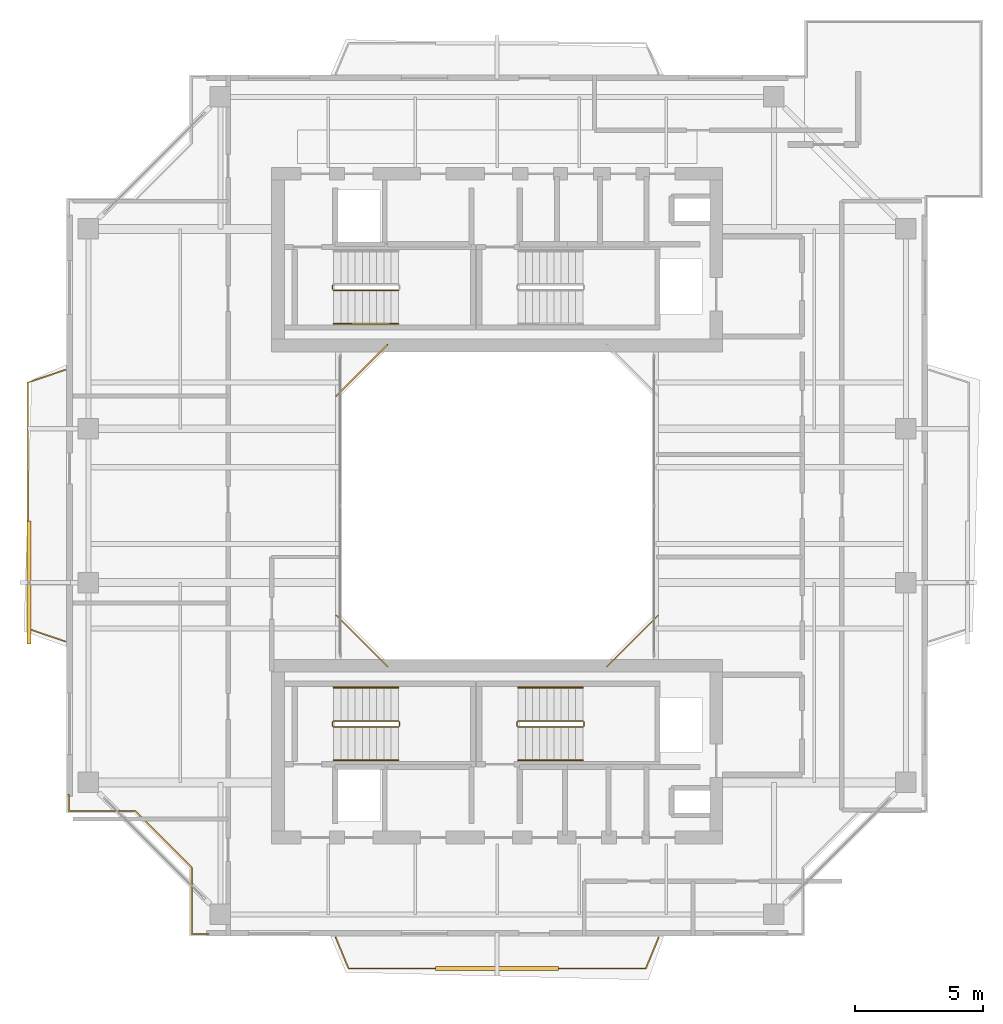
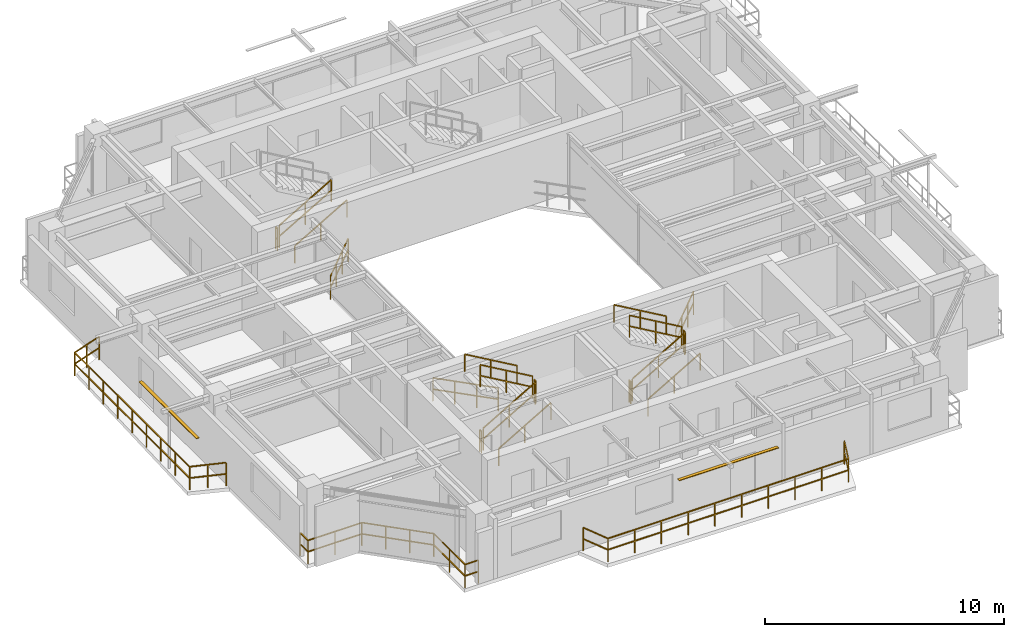
# One storey, part 14 of 16: 21 railings, 2 shading devices.
"""IFC4 building model written with IfcOpenShell, lengths in metres."""

from ifc_helpers import new_model, si_unit, direction, frame, origin, origin_2d, place, context, subcontext, project, spatial, rectangle, extrude, source, transform, mapped, material, material_profile, profile_set, type_object, element, save


model = new_model("IFC4")

# Units and contexts
model_context = context("Model", 3, precision=1e-05, world=origin(), true_north=direction((0.0, 1.0)))
body_context = subcontext(model_context, "Body", "Model", "MODEL_VIEW")
ifc_project = project(units=[si_unit("LENGTHUNIT", "METRE"), si_unit("AREAUNIT", "SQUARE_METRE"), si_unit("VOLUMEUNIT", "CUBIC_METRE"), si_unit("PLANEANGLEUNIT", "RADIAN"), si_unit("MASSUNIT", "GRAM", prefix="KILO"), si_unit("THERMODYNAMICTEMPERATUREUNIT", "KELVIN"), si_unit("POWERUNIT", "WATT")], contexts=[model_context])

# Site, building, storey
site_placement = place(None, origin())
site = spatial("IfcSite", under=ifc_project, at=site_placement, CompositionType="ELEMENT")
building_placement = place(site_placement, origin())
building = spatial("IfcBuilding", under=site, at=building_placement, Name="Qiaomeng Ring Towers", CompositionType="ELEMENT")
storey_placement = place(building_placement, frame((0.0, 0.0, 223.0)))
storey = spatial("IfcBuildingStorey", under=building, at=storey_placement, Name="L65", CompositionType="ELEMENT", Elevation=223.0)

# Railings
ifc_material_1 = material(Name="Low-E pale-green laminated safety glass", Category="glass")
railing_type_1 = type_object("IfcRailingType", Name="ARC-RL-BAL1", PredefinedType="BALUSTRADE", material=ifc_material_1)
railing_1_placement = place(storey_placement, frame((23.280029296875, 16.719970703125, 0.0)))
element("IfcRailing", 1, at=railing_1_placement, inside=storey, type_object=railing_type_1, Name="L65 Balustrade ARC-BAL-WELL1-L65-1", PredefinedType="BALUSTRADE", context=body_context, shape_type="SweptSolid", body=[
    extrude(rectangle(XDim=0.048095703125, YDim=0.048095703125, at=origin_2d()), frame((0.0, 0.0, 1.17578125), z_axis=(0.707106781187, 0.707106781187, 0.0), x_axis=(-0.707106781187, 0.707106781187, 0.0)), (0.0, 0.0, 1.0), 2.828369140625),
    extrude(rectangle(XDim=0.048095703125, YDim=0.048095703125, at=origin_2d()), frame((0.0, 0.0, 0.60009765625), z_axis=(0.707106781187, 0.707106781187, 0.0), x_axis=(-0.707106781187, 0.707106781187, 0.0)), (0.0, 0.0, 1.0), 2.828369140625),
    extrude(rectangle(XDim=0.0419921875, YDim=0.0419921875, at=origin_2d()), origin(), (0.0, 0.0, 1.0), 1.15185546875),
    extrude(rectangle(XDim=0.0419921875, YDim=0.0419921875, at=origin_2d()), frame((0.666748046875, 0.666748046875, 0.0)), (0.0, 0.0, 1.0), 1.15185546875),
    extrude(rectangle(XDim=0.0419921875, YDim=0.0419921875, at=origin_2d()), frame((1.333251953125, 1.333251953125, 0.0)), (0.0, 0.0, 1.0), 1.15185546875),
    extrude(rectangle(XDim=0.0419921875, YDim=0.0419921875, at=origin_2d()), frame((2.0, 2.0, 0.0)), (0.0, 0.0, 1.0), 1.15185546875),
])
railing_2_placement = place(storey_placement, frame((14.719970703125, 29.280029296875, 0.0)))
element("IfcRailing", 2, at=railing_2_placement, inside=storey, type_object=railing_type_1, Name="L65 Balustrade ARC-BAL-WELL1-L65-3", PredefinedType="BALUSTRADE", context=body_context, shape_type="SweptSolid", body=[
    extrude(rectangle(XDim=0.048095703125, YDim=0.048095703125, at=origin_2d()), frame((0.0, 0.0, 1.17578125), z_axis=(-0.707106781187, -0.707106781187, 0.0), x_axis=(0.707106781187, -0.707106781187, 0.0)), (0.0, 0.0, 1.0), 2.828369140625),
    extrude(rectangle(XDim=0.048095703125, YDim=0.048095703125, at=origin_2d()), frame((0.0, 0.0, 0.60009765625), z_axis=(-0.707106781187, -0.707106781187, 0.0), x_axis=(0.707106781187, -0.707106781187, 0.0)), (0.0, 0.0, 1.0), 2.828369140625),
    extrude(rectangle(XDim=0.0419921875, YDim=0.0419921875, at=origin_2d()), origin(), (0.0, 0.0, 1.0), 1.15185546875),
    extrude(rectangle(XDim=0.0419921875, YDim=0.0419921875, at=origin_2d()), frame((-0.666748046875, -0.666748046875, 0.0)), (0.0, 0.0, 1.0), 1.15185546875),
    extrude(rectangle(XDim=0.0419921875, YDim=0.0419921875, at=origin_2d()), frame((-1.333251953125, -1.333251953125, 0.0)), (0.0, 0.0, 1.0), 1.15185546875),
    extrude(rectangle(XDim=0.0419921875, YDim=0.0419921875, at=origin_2d()), frame((-2.0, -2.0, 0.0)), (0.0, 0.0, 1.0), 1.15185546875),
])
railing_3_placement = place(storey_placement, frame((12.719970703125, 18.719970703125, 0.0)))
element("IfcRailing", 3, at=railing_3_placement, inside=storey, type_object=railing_type_1, Name="L65 Balustrade ARC-BAL-WELL1-L65-4", PredefinedType="BALUSTRADE", context=body_context, shape_type="SweptSolid", body=[
    extrude(rectangle(XDim=0.048095703125, YDim=0.048095703125, at=origin_2d()), frame((0.0, 0.0, 1.17578125), z_axis=(0.707106781187, -0.707106781187, 0.0), x_axis=(0.707106781187, 0.707106781187, 0.0)), (0.0, 0.0, 1.0), 2.828369140625),
    extrude(rectangle(XDim=0.048095703125, YDim=0.048095703125, at=origin_2d()), frame((0.0, 0.0, 0.60009765625), z_axis=(0.707106781187, -0.707106781187, 0.0), x_axis=(0.707106781187, 0.707106781187, 0.0)), (0.0, 0.0, 1.0), 2.828369140625),
    extrude(rectangle(XDim=0.0419921875, YDim=0.0419921875, at=origin_2d()), origin(), (0.0, 0.0, 1.0), 1.15185546875),
    extrude(rectangle(XDim=0.0419921875, YDim=0.0419921875, at=origin_2d()), frame((0.666748046875, -0.666748046875, 0.0)), (0.0, 0.0, 1.0), 1.15185546875),
    extrude(rectangle(XDim=0.0419921875, YDim=0.0419921875, at=origin_2d()), frame((1.333251953125, -1.333251953125, 0.0)), (0.0, 0.0, 1.0), 1.15185546875),
    extrude(rectangle(XDim=0.0419921875, YDim=0.0419921875, at=origin_2d()), frame((2.0, -2.0, 0.0)), (0.0, 0.0, 1.0), 1.15185546875),
])
railing_4_placement = place(storey_placement, frame((2.280029296875, 11.72998046875, 0.0)))
element("IfcRailing", 4, at=railing_4_placement, inside=storey, type_object=railing_type_1, Name="L65 Balustrade ARC-BAL-NOTCH1-L65-SW", PredefinedType="BALUSTRADE", context=body_context, shape_type="SweptSolid", body=[
    extrude(rectangle(XDim=0.048095703125, YDim=0.048095703125, at=origin_2d()), frame((0.0, 0.0, 1.17578125), z_axis=(0.0, -1.0, 0.0), x_axis=(1.0, 0.0, 0.0)), (0.0, 0.0, 1.0), 0.64990234375),
    extrude(rectangle(XDim=0.048095703125, YDim=0.048095703125, at=origin_2d()), frame((0.0, 0.0, 0.60009765625), z_axis=(0.0, -1.0, 0.0), x_axis=(1.0, 0.0, 0.0)), (0.0, 0.0, 1.0), 0.64990234375),
    extrude(rectangle(XDim=0.048095703125, YDim=0.048095703125, at=origin_2d()), frame((0.0, -0.64990234375, 1.17578125), z_axis=(1.0, 0.0, 0.0), x_axis=(0.0, 1.0, 0.0)), (0.0, 0.0, 1.0), 2.599853515625),
    extrude(rectangle(XDim=0.048095703125, YDim=0.048095703125, at=origin_2d()), frame((0.0, -0.64990234375, 0.60009765625), z_axis=(1.0, 0.0, 0.0), x_axis=(0.0, 1.0, 0.0)), (0.0, 0.0, 1.0), 2.599853515625),
    extrude(rectangle(XDim=0.048095703125, YDim=0.048095703125, at=origin_2d()), frame((2.599853515625, -0.64990234375, 1.17578125), z_axis=(0.707106781187, -0.707106781187, 0.0), x_axis=(0.707106781187, 0.707106781187, 0.0)), (0.0, 0.0, 1.0), 3.111572265625),
    extrude(rectangle(XDim=0.048095703125, YDim=0.048095703125, at=origin_2d()), frame((2.599853515625, -0.64990234375, 0.60009765625), z_axis=(0.707106781187, -0.707106781187, 0.0), x_axis=(0.707106781187, 0.707106781187, 0.0)), (0.0, 0.0, 1.0), 3.111572265625),
    extrude(rectangle(XDim=0.048095703125, YDim=0.048095703125, at=origin_2d()), frame((4.800048828125, -2.85009765625, 1.17578125), z_axis=(0.0, -1.0, 0.0), x_axis=(1.0, 0.0, 0.0)), (0.0, 0.0, 1.0), 2.599853515625),
    extrude(rectangle(XDim=0.048095703125, YDim=0.048095703125, at=origin_2d()), frame((4.800048828125, -2.85009765625, 0.60009765625), z_axis=(0.0, -1.0, 0.0), x_axis=(1.0, 0.0, 0.0)), (0.0, 0.0, 1.0), 2.599853515625),
    extrude(rectangle(XDim=0.048095703125, YDim=0.048095703125, at=origin_2d()), frame((4.800048828125, -5.449951171875, 1.17578125), z_axis=(1.0, 0.0, 0.0), x_axis=(0.0, 1.0, 0.0)), (0.0, 0.0, 1.0), 0.64990234375),
    extrude(rectangle(XDim=0.048095703125, YDim=0.048095703125, at=origin_2d()), frame((4.800048828125, -5.449951171875, 0.60009765625), z_axis=(1.0, 0.0, 0.0), x_axis=(0.0, 1.0, 0.0)), (0.0, 0.0, 1.0), 0.64990234375),
    extrude(rectangle(XDim=0.0419921875, YDim=0.0419921875, at=origin_2d()), origin(), (0.0, 0.0, 1.0), 1.15185546875),
    extrude(rectangle(XDim=0.0419921875, YDim=0.0419921875, at=origin_2d()), frame((0.0, -0.64990234375, 0.0)), (0.0, 0.0, 1.0), 1.15185546875),
    extrude(rectangle(XDim=0.0419921875, YDim=0.0419921875, at=origin_2d()), frame((1.2998046875, -0.64990234375, 0.0)), (0.0, 0.0, 1.0), 1.15185546875),
    extrude(rectangle(XDim=0.0419921875, YDim=0.0419921875, at=origin_2d()), frame((2.599853515625, -0.64990234375, 0.0)), (0.0, 0.0, 1.0), 1.15185546875),
    extrude(rectangle(XDim=0.0419921875, YDim=0.0419921875, at=origin_2d()), frame((3.333251953125, -1.38330078125, 0.0)), (0.0, 0.0, 1.0), 1.15185546875),
    extrude(rectangle(XDim=0.0419921875, YDim=0.0419921875, at=origin_2d()), frame((4.066650390625, -2.11669921875, 0.0)), (0.0, 0.0, 1.0), 1.15185546875),
    extrude(rectangle(XDim=0.0419921875, YDim=0.0419921875, at=origin_2d()), frame((4.800048828125, -2.85009765625, 0.0)), (0.0, 0.0, 1.0), 1.15185546875),
    extrude(rectangle(XDim=0.0419921875, YDim=0.0419921875, at=origin_2d()), frame((4.800048828125, -4.14990234375, 0.0)), (0.0, 0.0, 1.0), 1.15185546875),
    extrude(rectangle(XDim=0.0419921875, YDim=0.0419921875, at=origin_2d()), frame((4.800048828125, -5.449951171875, 0.0)), (0.0, 0.0, 1.0), 1.15185546875),
    extrude(rectangle(XDim=0.0419921875, YDim=0.0419921875, at=origin_2d()), frame((5.449951171875, -5.449951171875, 0.0)), (0.0, 0.0, 1.0), 1.15185546875),
])
railing_5_placement = place(storey_placement, frame((12.699951171875, 6.14990234375, 0.0)))
element("IfcRailing", 5, at=railing_5_placement, inside=storey, type_object=railing_type_1, Name="L65 Balustrade ARC-BAL-L65-T1-S", PredefinedType="BALUSTRADE", context=body_context, shape_type="SweptSolid", body=[
    extrude(rectangle(XDim=0.048095703125, YDim=0.048095703125, at=origin_2d()), frame((0.0, 0.0, 1.17578125), z_axis=(0.381912525892, -0.924198475743, 0.0), x_axis=(0.924198475743, 0.381912525892, 0.0)), (0.0, 0.0, 1.0), 1.30908203125),
    extrude(rectangle(XDim=0.048095703125, YDim=0.048095703125, at=origin_2d()), frame((0.0, 0.0, 0.60009765625), z_axis=(0.381912525892, -0.924198475743, 0.0), x_axis=(0.924198475743, 0.381912525892, 0.0)), (0.0, 0.0, 1.0), 1.30908203125),
    extrude(rectangle(XDim=0.048095703125, YDim=0.048095703125, at=origin_2d()), frame((0.5, -1.2099609375, 1.17578125), z_axis=(1.0, 0.0, 0.0), x_axis=(0.0, 1.0, 0.0)), (0.0, 0.0, 1.0), 11.60009765625),
    extrude(rectangle(XDim=0.048095703125, YDim=0.048095703125, at=origin_2d()), frame((0.5, -1.2099609375, 0.60009765625), z_axis=(1.0, 0.0, 0.0), x_axis=(0.0, 1.0, 0.0)), (0.0, 0.0, 1.0), 11.60009765625),
    extrude(rectangle(XDim=0.048095703125, YDim=0.048095703125, at=origin_2d()), frame((12.10009765625, -1.2099609375, 1.17578125), z_axis=(0.381912525892, 0.924198475743, 0.0), x_axis=(-0.924198475743, 0.381912525892, 0.0)), (0.0, 0.0, 1.0), 1.30908203125),
    extrude(rectangle(XDim=0.048095703125, YDim=0.048095703125, at=origin_2d()), frame((12.10009765625, -1.2099609375, 0.60009765625), z_axis=(0.381912525892, 0.924198475743, 0.0), x_axis=(-0.924198475743, 0.381912525892, 0.0)), (0.0, 0.0, 1.0), 1.30908203125),
    extrude(rectangle(XDim=0.0419921875, YDim=0.0419921875, at=origin_2d()), origin(), (0.0, 0.0, 1.0), 1.15185546875),
    extrude(rectangle(XDim=0.0419921875, YDim=0.0419921875, at=origin_2d()), frame((0.5, -1.2099609375, 0.0)), (0.0, 0.0, 1.0), 1.15185546875),
    extrude(rectangle(XDim=0.0419921875, YDim=0.0419921875, at=origin_2d()), frame((1.788818359375, -1.2099609375, 0.0)), (0.0, 0.0, 1.0), 1.15185546875),
    extrude(rectangle(XDim=0.0419921875, YDim=0.0419921875, at=origin_2d()), frame((3.077880859375, -1.2099609375, 0.0)), (0.0, 0.0, 1.0), 1.15185546875),
    extrude(rectangle(XDim=0.0419921875, YDim=0.0419921875, at=origin_2d()), frame((4.36669921875, -1.2099609375, 0.0)), (0.0, 0.0, 1.0), 1.15185546875),
    extrude(rectangle(XDim=0.0419921875, YDim=0.0419921875, at=origin_2d()), frame((5.655517578125, -1.2099609375, 0.0)), (0.0, 0.0, 1.0), 1.15185546875),
    extrude(rectangle(XDim=0.0419921875, YDim=0.0419921875, at=origin_2d()), frame((6.944580078125, -1.2099609375, 0.0)), (0.0, 0.0, 1.0), 1.15185546875),
    extrude(rectangle(XDim=0.0419921875, YDim=0.0419921875, at=origin_2d()), frame((8.2333984375, -1.2099609375, 0.0)), (0.0, 0.0, 1.0), 1.15185546875),
    extrude(rectangle(XDim=0.0419921875, YDim=0.0419921875, at=origin_2d()), frame((9.522216796875, -1.2099609375, 0.0)), (0.0, 0.0, 1.0), 1.15185546875),
    extrude(rectangle(XDim=0.0419921875, YDim=0.0419921875, at=origin_2d()), frame((10.811279296875, -1.2099609375, 0.0)), (0.0, 0.0, 1.0), 1.15185546875),
    extrude(rectangle(XDim=0.0419921875, YDim=0.0419921875, at=origin_2d()), frame((12.10009765625, -1.2099609375, 0.0)), (0.0, 0.0, 1.0), 1.15185546875),
    extrude(rectangle(XDim=0.0419921875, YDim=0.0419921875, at=origin_2d()), frame((12.60009765625, 0.0, 0.0)), (0.0, 0.0, 1.0), 1.15185546875),
])
railing_6_placement = place(storey_placement, frame((2.14990234375, 17.699951171875, 0.0)))
element("IfcRailing", 6, at=railing_6_placement, inside=storey, type_object=railing_type_1, Name="L65 Balustrade ARC-BAL-L65-T1-W", PredefinedType="BALUSTRADE", context=body_context, shape_type="SweptSolid", body=[
    extrude(rectangle(XDim=0.048095703125, YDim=0.048095703125, at=origin_2d()), frame((0.0, 0.0, 1.17578125), z_axis=(-0.946731524739, 0.322023943309, 0.0), x_axis=(-0.322023943309, -0.946731524739, 0.0)), (0.0, 0.0, 1.0), 1.552734375),
    extrude(rectangle(XDim=0.048095703125, YDim=0.048095703125, at=origin_2d()), frame((0.0, 0.0, 0.60009765625), z_axis=(-0.946731524739, 0.322023943309, 0.0), x_axis=(-0.322023943309, -0.946731524739, 0.0)), (0.0, 0.0, 1.0), 1.552734375),
    extrude(rectangle(XDim=0.048095703125, YDim=0.048095703125, at=origin_2d()), frame((-1.469970703125, 0.5, 1.17578125), z_axis=(0.0, 1.0, 0.0), x_axis=(-1.0, 0.0, 0.0)), (0.0, 0.0, 1.0), 9.60009765625),
    extrude(rectangle(XDim=0.048095703125, YDim=0.048095703125, at=origin_2d()), frame((-1.469970703125, 0.5, 0.60009765625), z_axis=(0.0, 1.0, 0.0), x_axis=(-1.0, 0.0, 0.0)), (0.0, 0.0, 1.0), 9.60009765625),
    extrude(rectangle(XDim=0.048095703125, YDim=0.048095703125, at=origin_2d()), frame((-1.469970703125, 10.10009765625, 1.17578125), z_axis=(0.946731524739, 0.322023943309, 0.0), x_axis=(-0.322023943309, 0.946731524739, 0.0)), (0.0, 0.0, 1.0), 1.552734375),
    extrude(rectangle(XDim=0.048095703125, YDim=0.048095703125, at=origin_2d()), frame((-1.469970703125, 10.10009765625, 0.60009765625), z_axis=(0.946731524739, 0.322023943309, 0.0), x_axis=(-0.322023943309, 0.946731524739, 0.0)), (0.0, 0.0, 1.0), 1.552734375),
    extrude(rectangle(XDim=0.0419921875, YDim=0.0419921875, at=origin_2d()), origin(), (0.0, 0.0, 1.0), 1.15185546875),
    extrude(rectangle(XDim=0.0419921875, YDim=0.0419921875, at=origin_2d()), frame((-0.73486328125, 0.25, 0.0)), (0.0, 0.0, 1.0), 1.15185546875),
    extrude(rectangle(XDim=0.0419921875, YDim=0.0419921875, at=origin_2d()), frame((-1.469970703125, 0.5, 0.0)), (0.0, 0.0, 1.0), 1.15185546875),
    extrude(rectangle(XDim=0.0419921875, YDim=0.0419921875, at=origin_2d()), frame((-1.469970703125, 1.699951171875, 0.0)), (0.0, 0.0, 1.0), 1.15185546875),
    extrude(rectangle(XDim=0.0419921875, YDim=0.0419921875, at=origin_2d()), frame((-1.469970703125, 2.89990234375, 0.0)), (0.0, 0.0, 1.0), 1.15185546875),
    extrude(rectangle(XDim=0.0419921875, YDim=0.0419921875, at=origin_2d()), frame((-1.469970703125, 4.10009765625, 0.0)), (0.0, 0.0, 1.0), 1.15185546875),
    extrude(rectangle(XDim=0.0419921875, YDim=0.0419921875, at=origin_2d()), frame((-1.469970703125, 5.300048828125, 0.0)), (0.0, 0.0, 1.0), 1.15185546875),
    extrude(rectangle(XDim=0.0419921875, YDim=0.0419921875, at=origin_2d()), frame((-1.469970703125, 6.5, 0.0)), (0.0, 0.0, 1.0), 1.15185546875),
    extrude(rectangle(XDim=0.0419921875, YDim=0.0419921875, at=origin_2d()), frame((-1.469970703125, 7.7001953125, 0.0)), (0.0, 0.0, 1.0), 1.15185546875),
    extrude(rectangle(XDim=0.0419921875, YDim=0.0419921875, at=origin_2d()), frame((-1.469970703125, 8.900146484375, 0.0)), (0.0, 0.0, 1.0), 1.15185546875),
    extrude(rectangle(XDim=0.0419921875, YDim=0.0419921875, at=origin_2d()), frame((-1.469970703125, 10.10009765625, 0.0)), (0.0, 0.0, 1.0), 1.15185546875),
    extrude(rectangle(XDim=0.0419921875, YDim=0.0419921875, at=origin_2d()), frame((-0.73486328125, 10.35009765625, 0.0)), (0.0, 0.0, 1.0), 1.15185546875),
    extrude(rectangle(XDim=0.0419921875, YDim=0.0419921875, at=origin_2d()), frame((0.0, 10.60009765625, 0.0)), (0.0, 0.0, 1.0), 1.15185546875),
])
ifc_material_2 = material(Name="Galvanised steel", Category="steel")
railing_type_2 = type_object("IfcRailingType", Name="ARC-RL-GUARD", PredefinedType="GUARDRAIL", material=ifc_material_2)
railing_7_placement = place(storey_placement, frame((12.6201171875, 31.39990234375, 0.16259765625)))
element("IfcRailing", 7, at=railing_7_placement, inside=storey, type_object=railing_type_2, Name="L65 ST1 stair guard 1", PredefinedType="GUARDRAIL", context=body_context, shape_type="SweptSolid", body=[
    extrude(rectangle(XDim=0.048095703125, YDim=0.048095703125, at=origin_2d()), frame((0.0, 0.0, 1.1259765625), z_axis=(0.864892226395, 0.0, 0.501957604506), x_axis=(0.0, 1.0, 0.0)), (0.0, 0.0, 1.0), 2.913330078125),
    extrude(rectangle(XDim=0.048095703125, YDim=0.048095703125, at=origin_2d()), frame((0.0, 0.0, 0.574951171875), z_axis=(0.864892226395, 0.0, 0.501957604506), x_axis=(0.0, 1.0, 0.0)), (0.0, 0.0, 1.0), 2.913330078125),
    extrude(rectangle(XDim=0.0419921875, YDim=0.0419921875, at=origin_2d()), origin(), (0.0, 0.0, 1.0), 1.101806640625),
    extrude(rectangle(XDim=0.0419921875, YDim=0.0419921875, at=origin_2d()), frame((1.259765625, 0.0, 0.731201171875)), (0.0, 0.0, 1.0), 1.101806640625),
    extrude(rectangle(XDim=0.0419921875, YDim=0.0419921875, at=origin_2d()), frame((2.519775390625, 0.0, 1.46240234375)), (0.0, 0.0, 1.0), 1.101806640625),
])
railing_8_placement = place(storey_placement, frame((12.570068359375, 31.449951171875, 0.0)))
element("IfcRailing", 8, at=railing_8_placement, inside=storey, type_object=railing_type_2, Name="L65 ST1 stair guard 4", PredefinedType="GUARDRAIL", context=body_context, shape_type="SweptSolid", body=[
    extrude(rectangle(XDim=0.048095703125, YDim=0.048095703125, at=origin_2d()), frame((0.0, 0.0, 1.1259765625), z_axis=(0.0, 1.0, 0.0), x_axis=(-1.0, 0.0, 0.0)), (0.0, 0.0, 1.0), 0.14013671875),
    extrude(rectangle(XDim=0.048095703125, YDim=0.048095703125, at=origin_2d()), frame((0.0, 0.0, 0.574951171875), z_axis=(0.0, 1.0, 0.0), x_axis=(-1.0, 0.0, 0.0)), (0.0, 0.0, 1.0), 0.14013671875),
    extrude(rectangle(XDim=0.0419921875, YDim=0.0419921875, at=origin_2d()), origin(), (0.0, 0.0, 1.0), 1.101806640625),
    extrude(rectangle(XDim=0.0419921875, YDim=0.0419921875, at=origin_2d()), frame((0.0, 0.14013671875, 0.0)), (0.0, 0.0, 1.0), 1.101806640625),
])
railing_9_placement = place(storey_placement, frame((12.6201171875, 14.360107421875, 0.16259765625)))
element("IfcRailing", 9, at=railing_9_placement, inside=storey, type_object=railing_type_2, Name="L65 ST3 stair guard 1", PredefinedType="GUARDRAIL", context=body_context, shape_type="SweptSolid", body=[
    extrude(rectangle(XDim=0.048095703125, YDim=0.048095703125, at=origin_2d()), frame((0.0, 0.0, 1.1259765625), z_axis=(0.864892226395, 0.0, 0.501957604506), x_axis=(0.0, 1.0, 0.0)), (0.0, 0.0, 1.0), 2.913330078125),
    extrude(rectangle(XDim=0.048095703125, YDim=0.048095703125, at=origin_2d()), frame((0.0, 0.0, 0.574951171875), z_axis=(0.864892226395, 0.0, 0.501957604506), x_axis=(0.0, 1.0, 0.0)), (0.0, 0.0, 1.0), 2.913330078125),
    extrude(rectangle(XDim=0.0419921875, YDim=0.0419921875, at=origin_2d()), origin(), (0.0, 0.0, 1.0), 1.101806640625),
    extrude(rectangle(XDim=0.0419921875, YDim=0.0419921875, at=origin_2d()), frame((1.259765625, 0.0, 0.731201171875)), (0.0, 0.0, 1.0), 1.101806640625),
    extrude(rectangle(XDim=0.0419921875, YDim=0.0419921875, at=origin_2d()), frame((2.519775390625, 0.0, 1.46240234375)), (0.0, 0.0, 1.0), 1.101806640625),
])
railing_10_placement = place(storey_placement, frame((15.18994140625, 14.409912109375, 1.625)))
element("IfcRailing", 10, at=railing_10_placement, inside=storey, type_object=railing_type_2, Name="L65 ST3 stair guard 2", PredefinedType="GUARDRAIL", context=body_context, shape_type="SweptSolid", body=[
    extrude(rectangle(XDim=0.048095703125, YDim=0.048095703125, at=origin_2d()), frame((0.0, 0.0, 1.1259765625), z_axis=(0.0, 1.0, 0.0), x_axis=(-1.0, 0.0, 0.0)), (0.0, 0.0, 1.0), 0.14013671875),
    extrude(rectangle(XDim=0.048095703125, YDim=0.048095703125, at=origin_2d()), frame((0.0, 0.0, 0.574951171875), z_axis=(0.0, 1.0, 0.0), x_axis=(-1.0, 0.0, 0.0)), (0.0, 0.0, 1.0), 0.14013671875),
    extrude(rectangle(XDim=0.0419921875, YDim=0.0419921875, at=origin_2d()), origin(), (0.0, 0.0, 1.0), 1.101806640625),
    extrude(rectangle(XDim=0.0419921875, YDim=0.0419921875, at=origin_2d()), frame((0.0, 0.14013671875, 0.0)), (0.0, 0.0, 1.0), 1.101806640625),
])
railing_11_placement = place(storey_placement, frame((15.139892578125, 14.60009765625, 1.78759765625)))
element("IfcRailing", 11, at=railing_11_placement, inside=storey, type_object=railing_type_2, Name="L65 ST3 stair guard 3", PredefinedType="GUARDRAIL", context=body_context, shape_type="SweptSolid", body=[
    extrude(rectangle(XDim=0.048095703125, YDim=0.048095703125, at=origin_2d()), frame((0.0, 0.0, 1.1259765625), z_axis=(-0.864892226395, 0.0, 0.501957604506), x_axis=(0.0, -1.0, 0.0)), (0.0, 0.0, 1.0), 2.913330078125),
    extrude(rectangle(XDim=0.048095703125, YDim=0.048095703125, at=origin_2d()), frame((0.0, 0.0, 0.574951171875), z_axis=(-0.864892226395, 0.0, 0.501957604506), x_axis=(0.0, -1.0, 0.0)), (0.0, 0.0, 1.0), 2.913330078125),
    extrude(rectangle(XDim=0.0419921875, YDim=0.0419921875, at=origin_2d()), origin(), (0.0, 0.0, 1.0), 1.101806640625),
    extrude(rectangle(XDim=0.0419921875, YDim=0.0419921875, at=origin_2d()), frame((-1.259765625, 0.0, 0.731201171875)), (0.0, 0.0, 1.0), 1.101806640625),
    extrude(rectangle(XDim=0.0419921875, YDim=0.0419921875, at=origin_2d()), frame((-2.519775390625, 0.0, 1.46240234375)), (0.0, 0.0, 1.0), 1.101806640625),
])
railing_12_placement = place(storey_placement, frame((12.570068359375, 14.409912109375, 0.0)))
element("IfcRailing", 12, at=railing_12_placement, inside=storey, type_object=railing_type_2, Name="L65 ST3 stair guard 4", PredefinedType="GUARDRAIL", context=body_context, shape_type="SweptSolid", body=[
    extrude(rectangle(XDim=0.048095703125, YDim=0.048095703125, at=origin_2d()), frame((0.0, 0.0, 1.1259765625), z_axis=(0.0, 1.0, 0.0), x_axis=(-1.0, 0.0, 0.0)), (0.0, 0.0, 1.0), 0.14013671875),
    extrude(rectangle(XDim=0.048095703125, YDim=0.048095703125, at=origin_2d()), frame((0.0, 0.0, 0.574951171875), z_axis=(0.0, 1.0, 0.0), x_axis=(-1.0, 0.0, 0.0)), (0.0, 0.0, 1.0), 0.14013671875),
    extrude(rectangle(XDim=0.0419921875, YDim=0.0419921875, at=origin_2d()), origin(), (0.0, 0.0, 1.0), 1.101806640625),
    extrude(rectangle(XDim=0.0419921875, YDim=0.0419921875, at=origin_2d()), frame((0.0, 0.14013671875, 0.0)), (0.0, 0.0, 1.0), 1.101806640625),
])
railing_13_placement = place(storey_placement, frame((19.820068359375, 14.360107421875, 0.16259765625)))
element("IfcRailing", 13, at=railing_13_placement, inside=storey, type_object=railing_type_2, Name="L65 ST4 stair guard 1", PredefinedType="GUARDRAIL", context=body_context, shape_type="SweptSolid", body=[
    extrude(rectangle(XDim=0.048095703125, YDim=0.048095703125, at=origin_2d()), frame((0.0, 0.0, 1.1259765625), z_axis=(0.864913338283, 0.0, 0.50192122615), x_axis=(0.0, 1.0, 0.0)), (0.0, 0.0, 1.0), 2.91357421875),
    extrude(rectangle(XDim=0.048095703125, YDim=0.048095703125, at=origin_2d()), frame((0.0, 0.0, 0.574951171875), z_axis=(0.864913338283, 0.0, 0.50192122615), x_axis=(0.0, 1.0, 0.0)), (0.0, 0.0, 1.0), 2.91357421875),
    extrude(rectangle(XDim=0.0419921875, YDim=0.0419921875, at=origin_2d()), origin(), (0.0, 0.0, 1.0), 1.101806640625),
    extrude(rectangle(XDim=0.0419921875, YDim=0.0419921875, at=origin_2d()), frame((1.260009765625, 0.0, 0.731201171875)), (0.0, 0.0, 1.0), 1.101806640625),
    extrude(rectangle(XDim=0.0419921875, YDim=0.0419921875, at=origin_2d()), frame((2.52001953125, 0.0, 1.46240234375)), (0.0, 0.0, 1.0), 1.101806640625),
])
railing_14_placement = place(storey_placement, frame((22.389892578125, 14.409912109375, 1.625)))
element("IfcRailing", 14, at=railing_14_placement, inside=storey, type_object=railing_type_2, Name="L65 ST4 stair guard 2", PredefinedType="GUARDRAIL", context=body_context, shape_type="SweptSolid", body=[
    extrude(rectangle(XDim=0.048095703125, YDim=0.048095703125, at=origin_2d()), frame((0.0, 0.0, 1.1259765625), z_axis=(0.0, 1.0, 0.0), x_axis=(-1.0, 0.0, 0.0)), (0.0, 0.0, 1.0), 0.14013671875),
    extrude(rectangle(XDim=0.048095703125, YDim=0.048095703125, at=origin_2d()), frame((0.0, 0.0, 0.574951171875), z_axis=(0.0, 1.0, 0.0), x_axis=(-1.0, 0.0, 0.0)), (0.0, 0.0, 1.0), 0.14013671875),
    extrude(rectangle(XDim=0.0419921875, YDim=0.0419921875, at=origin_2d()), origin(), (0.0, 0.0, 1.0), 1.101806640625),
    extrude(rectangle(XDim=0.0419921875, YDim=0.0419921875, at=origin_2d()), frame((0.0, 0.14013671875, 0.0)), (0.0, 0.0, 1.0), 1.101806640625),
])
railing_15_placement = place(storey_placement, frame((22.340087890625, 14.60009765625, 1.78759765625)))
element("IfcRailing", 15, at=railing_15_placement, inside=storey, type_object=railing_type_2, Name="L65 ST4 stair guard 3", PredefinedType="GUARDRAIL", context=body_context, shape_type="SweptSolid", body=[
    extrude(rectangle(XDim=0.048095703125, YDim=0.048095703125, at=origin_2d()), frame((0.0, 0.0, 1.1259765625), z_axis=(-0.864913338283, 0.0, 0.50192122615), x_axis=(0.0, -1.0, 0.0)), (0.0, 0.0, 1.0), 2.91357421875),
    extrude(rectangle(XDim=0.048095703125, YDim=0.048095703125, at=origin_2d()), frame((0.0, 0.0, 0.574951171875), z_axis=(-0.864913338283, 0.0, 0.50192122615), x_axis=(0.0, -1.0, 0.0)), (0.0, 0.0, 1.0), 2.91357421875),
    extrude(rectangle(XDim=0.0419921875, YDim=0.0419921875, at=origin_2d()), origin(), (0.0, 0.0, 1.0), 1.101806640625),
    extrude(rectangle(XDim=0.0419921875, YDim=0.0419921875, at=origin_2d()), frame((-1.260009765625, 0.0, 0.731201171875)), (0.0, 0.0, 1.0), 1.101806640625),
    extrude(rectangle(XDim=0.0419921875, YDim=0.0419921875, at=origin_2d()), frame((-2.52001953125, 0.0, 1.46240234375)), (0.0, 0.0, 1.0), 1.101806640625),
])
railing_16_placement = place(storey_placement, frame((19.77001953125, 14.409912109375, 0.0)))
element("IfcRailing", 16, at=railing_16_placement, inside=storey, type_object=railing_type_2, Name="L65 ST4 stair guard 4", PredefinedType="GUARDRAIL", context=body_context, shape_type="SweptSolid", body=[
    extrude(rectangle(XDim=0.048095703125, YDim=0.048095703125, at=origin_2d()), frame((0.0, 0.0, 1.1259765625), z_axis=(0.0, 1.0, 0.0), x_axis=(-1.0, 0.0, 0.0)), (0.0, 0.0, 1.0), 0.14013671875),
    extrude(rectangle(XDim=0.048095703125, YDim=0.048095703125, at=origin_2d()), frame((0.0, 0.0, 0.574951171875), z_axis=(0.0, 1.0, 0.0), x_axis=(-1.0, 0.0, 0.0)), (0.0, 0.0, 1.0), 0.14013671875),
    extrude(rectangle(XDim=0.0419921875, YDim=0.0419921875, at=origin_2d()), origin(), (0.0, 0.0, 1.0), 1.101806640625),
    extrude(rectangle(XDim=0.0419921875, YDim=0.0419921875, at=origin_2d()), frame((0.0, 0.14013671875, 0.0)), (0.0, 0.0, 1.0), 1.101806640625),
])
ifc_material_3 = material(Name="Stainless steel 316", Category="steel")
railing_type_3 = type_object("IfcRailingType", Name="ARC-RL-HAND", PredefinedType="HANDRAIL", material=ifc_material_3)
for number, where, name in (
    (17, (12.6201171875, 30.10009765625, 0.16259765625), "L65 ST1 stair handrail 1"),
    (18, (12.6201171875, 13.06005859375, 0.16259765625), "L65 ST3 stair handrail 1"),
):
    element("IfcRailing", number, at=place(storey_placement, frame(where)), inside=storey, type_object=railing_type_3, Name=name, PredefinedType="HANDRAIL", context=body_context, shape_type="SweptSolid", body=[
        extrude(rectangle(XDim=0.048095703125, YDim=0.048095703125, at=origin_2d()), frame((0.0, 0.0, 0.8759765625), z_axis=(0.864892226395, 0.0, 0.501957604506), x_axis=(0.0, 1.0, 0.0)), (0.0, 0.0, 1.0), 2.913330078125),
        extrude(rectangle(XDim=0.0419921875, YDim=0.0419921875, at=origin_2d()), origin(), (0.0, 0.0, 1.0), 0.851806640625),
        extrude(rectangle(XDim=0.0419921875, YDim=0.0419921875, at=origin_2d()), frame((1.259765625, 0.0, 0.731201171875)), (0.0, 0.0, 1.0), 0.851806640625),
        extrude(rectangle(XDim=0.0419921875, YDim=0.0419921875, at=origin_2d()), frame((2.519775390625, 0.0, 1.46240234375)), (0.0, 0.0, 1.0), 0.851806640625),
    ])
railing_17_placement = place(storey_placement, frame((15.139892578125, 15.89990234375, 1.78759765625)))
element("IfcRailing", 19, at=railing_17_placement, inside=storey, type_object=railing_type_3, Name="L65 ST3 stair handrail 2", PredefinedType="HANDRAIL", context=body_context, shape_type="SweptSolid", body=[
    extrude(rectangle(XDim=0.048095703125, YDim=0.048095703125, at=origin_2d()), frame((0.0, 0.0, 0.8759765625), z_axis=(-0.864892226395, 0.0, 0.501957604506), x_axis=(0.0, -1.0, 0.0)), (0.0, 0.0, 1.0), 2.913330078125),
    extrude(rectangle(XDim=0.0419921875, YDim=0.0419921875, at=origin_2d()), origin(), (0.0, 0.0, 1.0), 0.851806640625),
    extrude(rectangle(XDim=0.0419921875, YDim=0.0419921875, at=origin_2d()), frame((-1.259765625, 0.0, 0.731201171875)), (0.0, 0.0, 1.0), 0.851806640625),
    extrude(rectangle(XDim=0.0419921875, YDim=0.0419921875, at=origin_2d()), frame((-2.519775390625, 0.0, 1.46240234375)), (0.0, 0.0, 1.0), 0.851806640625),
])
railing_18_placement = place(storey_placement, frame((19.820068359375, 13.06005859375, 0.16259765625)))
element("IfcRailing", 20, at=railing_18_placement, inside=storey, type_object=railing_type_3, Name="L65 ST4 stair handrail 1", PredefinedType="HANDRAIL", context=body_context, shape_type="SweptSolid", body=[
    extrude(rectangle(XDim=0.048095703125, YDim=0.048095703125, at=origin_2d()), frame((0.0, 0.0, 0.8759765625), z_axis=(0.864913338283, 0.0, 0.50192122615), x_axis=(0.0, 1.0, 0.0)), (0.0, 0.0, 1.0), 2.91357421875),
    extrude(rectangle(XDim=0.0419921875, YDim=0.0419921875, at=origin_2d()), origin(), (0.0, 0.0, 1.0), 0.851806640625),
    extrude(rectangle(XDim=0.0419921875, YDim=0.0419921875, at=origin_2d()), frame((1.260009765625, 0.0, 0.731201171875)), (0.0, 0.0, 1.0), 0.851806640625),
    extrude(rectangle(XDim=0.0419921875, YDim=0.0419921875, at=origin_2d()), frame((2.52001953125, 0.0, 1.46240234375)), (0.0, 0.0, 1.0), 0.851806640625),
])
railing_19_placement = place(storey_placement, frame((22.340087890625, 15.89990234375, 1.78759765625)))
element("IfcRailing", 21, at=railing_19_placement, inside=storey, type_object=railing_type_3, Name="L65 ST4 stair handrail 2", PredefinedType="HANDRAIL", context=body_context, shape_type="SweptSolid", body=[
    extrude(rectangle(XDim=0.048095703125, YDim=0.048095703125, at=origin_2d()), frame((0.0, 0.0, 0.8759765625), z_axis=(-0.864913338283, 0.0, 0.50192122615), x_axis=(0.0, -1.0, 0.0)), (0.0, 0.0, 1.0), 2.91357421875),
    extrude(rectangle(XDim=0.0419921875, YDim=0.0419921875, at=origin_2d()), origin(), (0.0, 0.0, 1.0), 0.851806640625),
    extrude(rectangle(XDim=0.0419921875, YDim=0.0419921875, at=origin_2d()), frame((-1.260009765625, 0.0, 0.731201171875)), (0.0, 0.0, 1.0), 0.851806640625),
    extrude(rectangle(XDim=0.0419921875, YDim=0.0419921875, at=origin_2d()), frame((-2.52001953125, 0.0, 1.46240234375)), (0.0, 0.0, 1.0), 0.851806640625),
])

# Shading devices
ifc_material_4 = material(Name="Fluorocarbon dark-grey aluminium", Category="aluminium")
ifc_material_profile = material_profile(ifc_material_4, rectangle(XDim=0.14990234375, YDim=0.034912109375, at=origin_2d()), Name="LV BLADE 150x35")
ifc_profile_set = profile_set([ifc_material_profile], Name="Fluorocarbon dark-grey aluminium")
shading_device_type = type_object("IfcShadingDeviceType", Name="ARC-SHD-SUN", PredefinedType="AWNING", material=ifc_profile_set)
shared_shape = source(origin(), body_context, "Body", "SweptSolid", [
    extrude(rectangle(XDim=0.14990234375, YDim=0.034912109375, at=origin_2d()), origin(), (0.0, 0.0, 1.0), 4.7998046875),
])
for number, where, z_axis, x_axis, name in (
    (22, (16.60009765625, 4.93994140625, 2.969970703125), (1.0, 0.0, 0.0), (0.0, 1.0, 0.0), "L65 Ventilated Outer-Skin Sunshade S"),
    (23, (0.72998046875, 17.60009765625, 2.969970703125), (0.0, 1.0, 0.0), (-1.0, 0.0, 0.0), "L65 Ventilated Outer-Skin Sunshade W"),
):
    element("IfcShadingDevice", number, at=place(storey_placement, frame(where, z_axis=z_axis, x_axis=x_axis)), inside=storey, type_object=shading_device_type, Name=name, PredefinedType="AWNING", context=body_context, shape_type="MappedRepresentation", body=[
        mapped(shared_shape, transform((0.0, 0.0, 0.0), x_axis=(1.0, 0.0, 0.0), y_axis=(0.0, 1.0, 0.0), z_axis=(0.0, 0.0, 1.0), scale=1.0)),
    ])

save(model, "model.ifc")
